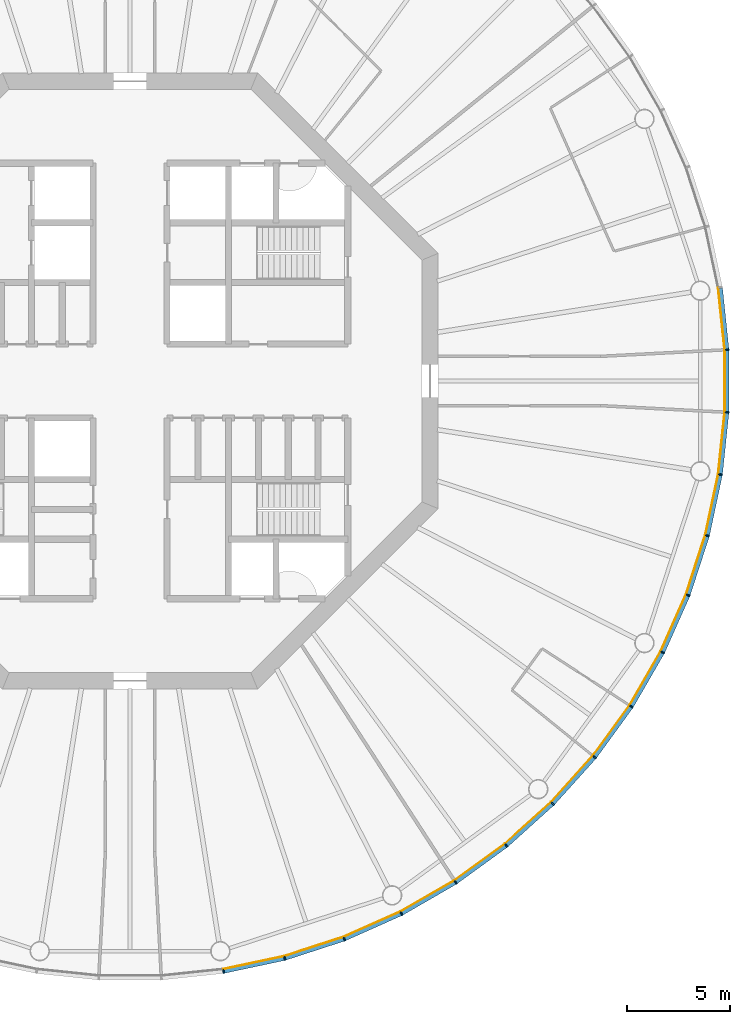
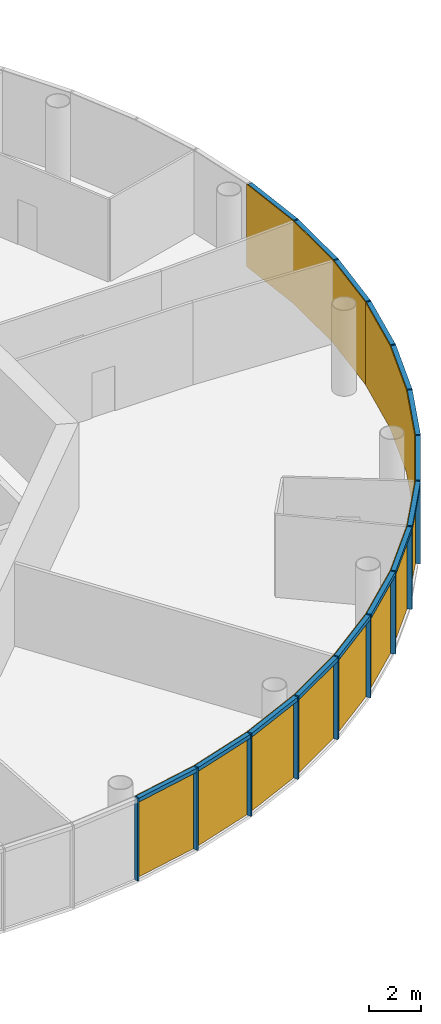
# One storey, part 9 of 13: 30 members, 5 curtain walls.
"""IFC4 building model written with IfcOpenShell, lengths in metres."""

from ifc_helpers import new_model, si_unit, direction, frame, origin, origin_2d, place, context, subcontext, project, spatial, polyline, rectangle, outline, extrude, material, layer, layer_set, material_profile, profile_set, type_object, element, aggregate, save


model = new_model("IFC4")

# Units and contexts
model_context = context("Model", 3, precision=1e-05, world=origin(), true_north=direction((0.0, 1.0)))
body_context = subcontext(model_context, "Body", "Model", "MODEL_VIEW")
ifc_project = project(units=[si_unit("LENGTHUNIT", "METRE"), si_unit("AREAUNIT", "SQUARE_METRE"), si_unit("VOLUMEUNIT", "CUBIC_METRE"), si_unit("PLANEANGLEUNIT", "RADIAN"), si_unit("MASSUNIT", "GRAM", prefix="KILO")], contexts=[model_context])

# Member
ifc_material_1 = material(Name="Anodised aluminium", Category="aluminium")
ifc_material_profile_1 = material_profile(ifc_material_1, rectangle(XDim=0.06494140625, YDim=0.195068359375, at=origin_2d()), Name="Mullion 65 x 195 mm anodised aluminium")
ifc_profile_set_1 = profile_set([ifc_material_profile_1], Name="Anodised aluminium")
member_type_1 = type_object("IfcMemberType", Name="Mullion 65 x 195 mm anodised aluminium", PredefinedType="MULLION", material=ifc_profile_set_1)
site_placement = place(None, origin())
building_placement = place(site_placement, origin())
storey_placement = place(building_placement, frame((0.0, 0.0, 314.0)))
member_1_placement = place(storey_placement, frame((94.5517578125, 51.2607421875, 0.0), z_axis=(0.0, 0.0, 1.0), x_axis=(0.987688340595, 0.15643446504, 0.0)))
member_1 = element("IfcMember", 1, at=member_1_placement, type_object=member_type_1, Name="MULLION L72-45", PredefinedType="MULLION", context=body_context, shape_type="SweptSolid", body=[
    extrude(rectangle(XDim=0.06494140625, YDim=0.195068359375, at=origin_2d()), origin(), (0.0, 0.0, 1.0), 3.85009765625),
])

member_2_placement = place(storey_placement, frame((97.531005859375, 51.89404296875, 0.0), z_axis=(0.0, 0.0, 1.0), x_axis=(0.965925826289, 0.258819045103, 0.0)))
member_2 = element("IfcMember", 2, at=member_2_placement, type_object=member_type_1, Name="MULLION L72-46", PredefinedType="MULLION", context=body_context, shape_type="SweptSolid", body=[
    extrude(rectangle(XDim=0.06494140625, YDim=0.195068359375, at=origin_2d()), origin(), (0.0, 0.0, 1.0), 3.85009765625),
])

member_3_placement = place(storey_placement, frame((100.427490234375, 52.835205078125, 0.0), z_axis=(0.0, 0.0, 1.0), x_axis=(0.933580426497, 0.358367949545, 0.0)))
member_3 = element("IfcMember", 3, at=member_3_placement, type_object=member_type_1, Name="MULLION L72-47", PredefinedType="MULLION", context=body_context, shape_type="SweptSolid", body=[
    extrude(rectangle(XDim=0.06494140625, YDim=0.195068359375, at=origin_2d()), origin(), (0.0, 0.0, 1.0), 3.85009765625),
])

member_4_placement = place(storey_placement, frame((103.2099609375, 54.073974609375, 0.0), z_axis=(0.0, 0.0, 1.0), x_axis=(0.891006524188, 0.45399049974, 0.0)))
member_4 = element("IfcMember", 4, at=member_4_placement, type_object=member_type_1, Name="MULLION L72-48", PredefinedType="MULLION", context=body_context, shape_type="SweptSolid", body=[
    extrude(rectangle(XDim=0.06494140625, YDim=0.195068359375, at=origin_2d()), origin(), (0.0, 0.0, 1.0), 3.85009765625),
])

member_5_placement = place(storey_placement, frame((105.84765625, 55.5966796875, 0.0), z_axis=(0.0, 0.0, 1.0), x_axis=(0.838670567945, 0.544639035015, 0.0)))
member_5 = element("IfcMember", 5, at=member_5_placement, type_object=member_type_1, Name="MULLION L72-49", PredefinedType="MULLION", context=body_context, shape_type="SweptSolid", body=[
    extrude(rectangle(XDim=0.06494140625, YDim=0.195068359375, at=origin_2d()), origin(), (0.0, 0.0, 1.0), 3.85009765625),
])

member_6_placement = place(storey_placement, frame((108.311767578125, 57.386962890625, 0.0), z_axis=(0.0, 0.0, 1.0), x_axis=(0.777145961457, 0.62932039105, 0.0)))
member_6 = element("IfcMember", 6, at=member_6_placement, type_object=member_type_1, Name="MULLION L72-50", PredefinedType="MULLION", context=body_context, shape_type="SweptSolid", body=[
    extrude(rectangle(XDim=0.06494140625, YDim=0.195068359375, at=origin_2d()), origin(), (0.0, 0.0, 1.0), 3.85009765625),
])

member_7_placement = place(storey_placement, frame((110.574951171875, 59.425048828125, 0.0), z_axis=(0.0, 0.0, 1.0), x_axis=(0.707106781187, 0.707106781187, 0.0)))
member_7 = element("IfcMember", 7, at=member_7_placement, type_object=member_type_1, Name="MULLION L72-51", PredefinedType="MULLION", context=body_context, shape_type="SweptSolid", body=[
    extrude(rectangle(XDim=0.06494140625, YDim=0.195068359375, at=origin_2d()), origin(), (0.0, 0.0, 1.0), 3.85009765625),
])

member_8_placement = place(storey_placement, frame((112.613037109375, 61.688232421875, 0.0), z_axis=(0.0, 0.0, 1.0), x_axis=(0.62932039105, 0.777145961457, 0.0)))
member_8 = element("IfcMember", 8, at=member_8_placement, type_object=member_type_1, Name="MULLION L72-52", PredefinedType="MULLION", context=body_context, shape_type="SweptSolid", body=[
    extrude(rectangle(XDim=0.06494140625, YDim=0.195068359375, at=origin_2d()), origin(), (0.0, 0.0, 1.0), 3.85009765625),
])

member_9_placement = place(storey_placement, frame((114.4033203125, 64.15234375, 0.0), z_axis=(0.0, 0.0, 1.0), x_axis=(0.544639035015, 0.838670567945, 0.0)))
member_9 = element("IfcMember", 9, at=member_9_placement, type_object=member_type_1, Name="MULLION L72-53", PredefinedType="MULLION", context=body_context, shape_type="SweptSolid", body=[
    extrude(rectangle(XDim=0.06494140625, YDim=0.195068359375, at=origin_2d()), origin(), (0.0, 0.0, 1.0), 3.85009765625),
])

member_10_placement = place(storey_placement, frame((115.926025390625, 66.7900390625, 0.0), z_axis=(0.0, 0.0, 1.0), x_axis=(0.45399049974, 0.891006524188, 0.0)))
member_10 = element("IfcMember", 10, at=member_10_placement, type_object=member_type_1, Name="MULLION L72-54", PredefinedType="MULLION", context=body_context, shape_type="SweptSolid", body=[
    extrude(rectangle(XDim=0.06494140625, YDim=0.195068359375, at=origin_2d()), origin(), (0.0, 0.0, 1.0), 3.85009765625),
])

member_11_placement = place(storey_placement, frame((117.164794921875, 69.572509765625, 0.0), z_axis=(0.0, 0.0, 1.0), x_axis=(0.358367949545, 0.933580426497, 0.0)))
member_11 = element("IfcMember", 11, at=member_11_placement, type_object=member_type_1, Name="MULLION L72-55", PredefinedType="MULLION", context=body_context, shape_type="SweptSolid", body=[
    extrude(rectangle(XDim=0.06494140625, YDim=0.195068359375, at=origin_2d()), origin(), (0.0, 0.0, 1.0), 3.85009765625),
])

member_12_placement = place(storey_placement, frame((118.10595703125, 72.468994140625, 0.0), z_axis=(0.0, 0.0, 1.0), x_axis=(0.258819045103, 0.965925826289, 0.0)))
member_12 = element("IfcMember", 12, at=member_12_placement, type_object=member_type_1, Name="MULLION L72-56", PredefinedType="MULLION", context=body_context, shape_type="SweptSolid", body=[
    extrude(rectangle(XDim=0.06494140625, YDim=0.195068359375, at=origin_2d()), origin(), (0.0, 0.0, 1.0), 3.85009765625),
])

member_13_placement = place(storey_placement, frame((118.7392578125, 75.4482421875, 0.0), z_axis=(0.0, 0.0, 1.0), x_axis=(0.15643446504, 0.987688340595, 0.0)))
member_13 = element("IfcMember", 13, at=member_13_placement, type_object=member_type_1, Name="MULLION L72-57", PredefinedType="MULLION", context=body_context, shape_type="SweptSolid", body=[
    extrude(rectangle(XDim=0.06494140625, YDim=0.195068359375, at=origin_2d()), origin(), (0.0, 0.0, 1.0), 3.85009765625),
])

member_14_placement = place(storey_placement, frame((119.0576171875, 78.47705078125, 0.0), z_axis=(0.0, 0.0, 1.0), x_axis=(0.052335956243, 0.998629534755, 0.0)))
member_14 = element("IfcMember", 14, at=member_14_placement, type_object=member_type_1, Name="MULLION L72-58", PredefinedType="MULLION", context=body_context, shape_type="SweptSolid", body=[
    extrude(rectangle(XDim=0.06494140625, YDim=0.195068359375, at=origin_2d()), origin(), (0.0, 0.0, 1.0), 3.85009765625),
])

member_15_placement = place(storey_placement, frame((119.0576171875, 81.52294921875, 0.0), z_axis=(0.0, 0.0, 1.0), x_axis=(-0.052335956243, 0.998629534755, 0.0)))
member_15 = element("IfcMember", 15, at=member_15_placement, type_object=member_type_1, Name="MULLION L72-59", PredefinedType="MULLION", context=body_context, shape_type="SweptSolid", body=[
    extrude(rectangle(XDim=0.06494140625, YDim=0.195068359375, at=origin_2d()), origin(), (0.0, 0.0, 1.0), 3.85009765625),
])

ifc_material_2 = material(Name="Anodised aluminium", Category="aluminium")
ifc_material_profile_2 = material_profile(ifc_material_2, rectangle(XDim=0.195068359375, YDim=0.179931640625, at=origin_2d()), Name="Transom 180 x 195 mm anodised aluminium")
ifc_profile_set_2 = profile_set([ifc_material_profile_2], Name="Anodised aluminium")
member_type_2 = type_object("IfcMemberType", Name="Transom 180 x 195 mm anodised aluminium", PredefinedType="USERDEFINED", material=ifc_profile_set_2)
member_16_placement = place(storey_placement, frame((94.588623046875, 51.268310546875, 3.760009765625), z_axis=(0.978141510112, 0.207940342877, 0.0), x_axis=(-0.207940342877, 0.978141510112, 0.0)))
member_16 = element("IfcMember", 16, at=member_16_placement, type_object=member_type_2, Name="TRANSOM L72-45", ObjectType="TRANSOM", PredefinedType="USERDEFINED", context=body_context, shape_type="SweptSolid", body=[
    extrude(rectangle(XDim=0.195068359375, YDim=0.179931640625, at=origin_2d()), origin(), (0.0, 0.0, 1.0), 2.970458984375),
])

member_17_placement = place(storey_placement, frame((97.56689453125, 51.905517578125, 3.760009765625), z_axis=(0.951047960094, 0.309043326415, 0.0), x_axis=(-0.309043326415, 0.951047960094, 0.0)))
member_17 = element("IfcMember", 17, at=member_17_placement, type_object=member_type_2, Name="TRANSOM L72-46", ObjectType="TRANSOM", PredefinedType="USERDEFINED", context=body_context, shape_type="SweptSolid", body=[
    extrude(rectangle(XDim=0.195068359375, YDim=0.179931640625, at=origin_2d()), origin(), (0.0, 0.0, 1.0), 2.970458984375),
])

member_18_placement = place(storey_placement, frame((100.4619140625, 52.850341796875, 3.760009765625), z_axis=(0.913550406593, 0.406725527369, 0.0), x_axis=(-0.406725527369, 0.913550406593, 0.0)))
member_18 = element("IfcMember", 18, at=member_18_placement, type_object=member_type_2, Name="TRANSOM L72-47", ObjectType="TRANSOM", PredefinedType="USERDEFINED", context=body_context, shape_type="SweptSolid", body=[
    extrude(rectangle(XDim=0.195068359375, YDim=0.179931640625, at=origin_2d()), origin(), (0.0, 0.0, 1.0), 2.970703125),
])

member_19_placement = place(storey_placement, frame((103.24267578125, 54.092529296875, 3.760009765625), z_axis=(0.866009025146, 0.500028367561, 0.0), x_axis=(-0.500028367561, 0.866009025146, 0.0)))
member_19 = element("IfcMember", 19, at=member_19_placement, type_object=member_type_2, Name="TRANSOM L72-48", ObjectType="TRANSOM", PredefinedType="USERDEFINED", context=body_context, shape_type="SweptSolid", body=[
    extrude(rectangle(XDim=0.195068359375, YDim=0.179931640625, at=origin_2d()), origin(), (0.0, 0.0, 1.0), 2.970458984375),
])

member_20_placement = place(storey_placement, frame((105.878173828125, 55.618896484375, 3.760009765625), z_axis=(0.809030990733, 0.587765987476, 0.0), x_axis=(-0.587765987476, 0.809030990733, 0.0)))
member_20 = element("IfcMember", 20, at=member_20_placement, type_object=member_type_2, Name="TRANSOM L72-49", ObjectType="TRANSOM", PredefinedType="USERDEFINED", context=body_context, shape_type="SweptSolid", body=[
    extrude(rectangle(XDim=0.195068359375, YDim=0.179931640625, at=origin_2d()), origin(), (0.0, 0.0, 1.0), 2.97021484375),
])

member_21_placement = place(storey_placement, frame((108.339599609375, 57.412109375, 3.760009765625), z_axis=(0.743163354343, 0.669110027395, 0.0), x_axis=(-0.669110027395, 0.743163354343, 0.0)))
member_21 = element("IfcMember", 21, at=member_21_placement, type_object=member_type_2, Name="TRANSOM L72-50", ObjectType="TRANSOM", PredefinedType="USERDEFINED", context=body_context, shape_type="SweptSolid", body=[
    extrude(rectangle(XDim=0.195068359375, YDim=0.179931640625, at=origin_2d()), origin(), (0.0, 0.0, 1.0), 2.970458984375),
])

member_22_placement = place(storey_placement, frame((110.600341796875, 59.452880859375, 3.760009765625), z_axis=(0.669110027395, 0.743163354343, 0.0), x_axis=(-0.743163354343, 0.669110027395, 0.0)))
member_22 = element("IfcMember", 22, at=member_22_placement, type_object=member_type_2, Name="TRANSOM L72-51", ObjectType="TRANSOM", PredefinedType="USERDEFINED", context=body_context, shape_type="SweptSolid", body=[
    extrude(rectangle(XDim=0.195068359375, YDim=0.179931640625, at=origin_2d()), origin(), (0.0, 0.0, 1.0), 2.970458984375),
])

member_23_placement = place(storey_placement, frame((112.63525390625, 61.71875, 3.760009765625), z_axis=(0.587765987476, 0.809030990733, 0.0), x_axis=(-0.809030990733, 0.587765987476, 0.0)))
member_23 = element("IfcMember", 23, at=member_23_placement, type_object=member_type_2, Name="TRANSOM L72-52", ObjectType="TRANSOM", PredefinedType="USERDEFINED", context=body_context, shape_type="SweptSolid", body=[
    extrude(rectangle(XDim=0.195068359375, YDim=0.179931640625, at=origin_2d()), origin(), (0.0, 0.0, 1.0), 2.97021484375),
])

member_24_placement = place(storey_placement, frame((114.422119140625, 64.184814453125, 3.760009765625), z_axis=(0.500028367561, 0.866009025146, 0.0), x_axis=(-0.866009025146, 0.500028367561, 0.0)))
member_24 = element("IfcMember", 24, at=member_24_placement, type_object=member_type_2, Name="TRANSOM L72-53", ObjectType="TRANSOM", PredefinedType="USERDEFINED", context=body_context, shape_type="SweptSolid", body=[
    extrude(rectangle(XDim=0.195068359375, YDim=0.179931640625, at=origin_2d()), origin(), (0.0, 0.0, 1.0), 2.970458984375),
])

member_25_placement = place(storey_placement, frame((115.94140625, 66.82421875, 3.760009765625), z_axis=(0.406725527369, 0.913550406593, 0.0), x_axis=(-0.913550406593, 0.406725527369, 0.0)))
member_25 = element("IfcMember", 25, at=member_25_placement, type_object=member_type_2, Name="TRANSOM L72-54", ObjectType="TRANSOM", PredefinedType="USERDEFINED", context=body_context, shape_type="SweptSolid", body=[
    extrude(rectangle(XDim=0.195068359375, YDim=0.179931640625, at=origin_2d()), origin(), (0.0, 0.0, 1.0), 2.970703125),
])

member_26_placement = place(storey_placement, frame((117.176513671875, 69.608154296875, 3.760009765625), z_axis=(0.309043326415, 0.951047960094, 0.0), x_axis=(-0.951047960094, 0.309043326415, 0.0)))
member_26 = element("IfcMember", 26, at=member_26_placement, type_object=member_type_2, Name="TRANSOM L72-55", ObjectType="TRANSOM", PredefinedType="USERDEFINED", context=body_context, shape_type="SweptSolid", body=[
    extrude(rectangle(XDim=0.195068359375, YDim=0.179931640625, at=origin_2d()), origin(), (0.0, 0.0, 1.0), 2.970458984375),
])

member_27_placement = place(storey_placement, frame((118.114013671875, 72.505859375, 3.760009765625), z_axis=(0.207940342877, 0.978141510112, 0.0), x_axis=(-0.978141510112, 0.207940342877, 0.0)))
member_27 = element("IfcMember", 27, at=member_27_placement, type_object=member_type_2, Name="TRANSOM L72-56", ObjectType="TRANSOM", PredefinedType="USERDEFINED", context=body_context, shape_type="SweptSolid", body=[
    extrude(rectangle(XDim=0.195068359375, YDim=0.179931640625, at=origin_2d()), origin(), (0.0, 0.0, 1.0), 2.970458984375),
])

member_28_placement = place(storey_placement, frame((118.743408203125, 75.485595703125, 3.760009765625), z_axis=(0.104466577987, 0.994528397827, 0.0), x_axis=(-0.994528397827, 0.104466577987, 0.0)))
member_28 = element("IfcMember", 28, at=member_28_placement, type_object=member_type_2, Name="TRANSOM L72-57", ObjectType="TRANSOM", PredefinedType="USERDEFINED", context=body_context, shape_type="SweptSolid", body=[
    extrude(rectangle(XDim=0.195068359375, YDim=0.179931640625, at=origin_2d()), origin(), (0.0, 0.0, 1.0), 2.970458984375),
])

member_29_placement = place(storey_placement, frame((119.057861328125, 78.5146484375, 3.760009765625), z_axis=(0.0, 1.0, 0.0), x_axis=(-1.0, 0.0, 0.0)))
member_29 = element("IfcMember", 29, at=member_29_placement, type_object=member_type_2, Name="TRANSOM L72-58", ObjectType="TRANSOM", PredefinedType="USERDEFINED", context=body_context, shape_type="SweptSolid", body=[
    extrude(rectangle(XDim=0.195068359375, YDim=0.179931640625, at=origin_2d()), origin(), (0.0, 0.0, 1.0), 2.970703125),
])

member_30_placement = place(storey_placement, frame((119.0537109375, 81.560302734375, 3.760009765625), z_axis=(-0.104466577987, 0.994528397827, 0.0), x_axis=(-0.994528397827, -0.104466577987, 0.0)))
member_30 = element("IfcMember", 30, at=member_30_placement, type_object=member_type_2, Name="TRANSOM L72-59", ObjectType="TRANSOM", PredefinedType="USERDEFINED", context=body_context, shape_type="SweptSolid", body=[
    extrude(rectangle(XDim=0.195068359375, YDim=0.179931640625, at=origin_2d()), origin(), (0.0, 0.0, 1.0), 2.970458984375),
])

# Site, building, storey
site = spatial("IfcSite", under=ifc_project, at=site_placement, CompositionType="ELEMENT")
building = spatial("IfcBuilding", under=site, at=building_placement, Name="Entoto Ring Tower", CompositionType="ELEMENT")
storey = spatial("IfcBuildingStorey", under=building, at=storey_placement, Name="L72", CompositionType="ELEMENT", Elevation=314.0)

# Curtain wall
ifc_material_3 = material(Name="Clear low-iron glass", Category="glass")
ifc_layer = layer(ifc_material_3, 0.033935546875)
ifc_layer_set = layer_set([ifc_layer], Name="Clear low-iron glass")
curtain_wall_type = type_object("IfcCurtainWallType", Name="Curtain wall system CW5 glazing 34 mm", PredefinedType="NOTDEFINED", material=ifc_layer_set)
curtain_wall_1_placement = place(storey_placement, origin())
curtain_wall_1 = element("IfcCurtainWall", 31, at=curtain_wall_1_placement, inside=storey, type_object=curtain_wall_type, Name="CW5 L72-16", PredefinedType="NOTDEFINED", context=body_context, shape_type="SweptSolid", body=[
    extrude(outline(polyline([(94.53662109375, 51.35693359375), (97.505859375, 51.988037109375), (100.392578125, 52.92626953125), (103.165771484375, 54.160888671875), (103.150146484375, 54.191162109375), (100.38037109375, 52.9580078125), (97.496826171875, 52.02099609375), (94.53125, 51.390625), (94.53662109375, 51.35693359375)])), origin(), (0.0, 0.0, 1.0), 3.85009765625),
])

aggregate(curtain_wall_1, [member_1, member_2, member_3, member_16, member_17, member_18])

curtain_wall_2_placement = place(storey_placement, origin())
curtain_wall_2 = element("IfcCurtainWall", 32, at=curtain_wall_2_placement, inside=storey, type_object=curtain_wall_type, Name="CW5 L72-17", PredefinedType="NOTDEFINED", context=body_context, shape_type="SweptSolid", body=[
    extrude(outline(polyline([(103.165771484375, 54.160888671875), (105.79443359375, 55.678466796875), (108.250244140625, 57.462646484375), (110.506103515625, 59.493896484375), (110.48193359375, 59.51806640625), (108.228759765625, 57.4892578125), (105.77587890625, 55.70703125), (103.150146484375, 54.191162109375), (103.165771484375, 54.160888671875)])), origin(), (0.0, 0.0, 1.0), 3.85009765625),
])

aggregate(curtain_wall_2, [member_4, member_5, member_6, member_19, member_20, member_21])

curtain_wall_3_placement = place(storey_placement, origin())
curtain_wall_3 = element("IfcCurtainWall", 33, at=curtain_wall_3_placement, inside=storey, type_object=curtain_wall_type, Name="CW5 L72-18", PredefinedType="NOTDEFINED", context=body_context, shape_type="SweptSolid", body=[
    extrude(outline(polyline([(110.506103515625, 59.493896484375), (112.537353515625, 61.749755859375), (114.321533203125, 64.20556640625), (115.839111328125, 66.834228515625), (115.808837890625, 66.849853515625), (114.29296875, 64.22412109375), (112.5107421875, 61.771240234375), (110.48193359375, 59.51806640625), (110.506103515625, 59.493896484375)])), origin(), (0.0, 0.0, 1.0), 3.85009765625),
])

aggregate(curtain_wall_3, [member_7, member_8, member_9, member_22, member_23, member_24])

curtain_wall_4_placement = place(storey_placement, origin())
curtain_wall_4 = element("IfcCurtainWall", 34, at=curtain_wall_4_placement, inside=storey, type_object=curtain_wall_type, Name="CW5 L72-19", PredefinedType="NOTDEFINED", context=body_context, shape_type="SweptSolid", body=[
    extrude(outline(polyline([(115.839111328125, 66.834228515625), (117.07373046875, 69.607421875), (118.011962890625, 72.494140625), (118.64306640625, 75.46337890625), (118.609375, 75.46875), (117.97900390625, 72.503173828125), (117.0419921875, 69.61962890625), (115.808837890625, 66.849853515625), (115.839111328125, 66.834228515625)])), origin(), (0.0, 0.0, 1.0), 3.85009765625),
])

aggregate(curtain_wall_4, [member_10, member_11, member_12, member_25, member_26, member_27])

curtain_wall_5_placement = place(storey_placement, origin())
curtain_wall_5 = element("IfcCurtainWall", 35, at=curtain_wall_5_placement, inside=storey, type_object=curtain_wall_type, Name="CW5 L72-20", PredefinedType="NOTDEFINED", context=body_context, shape_type="SweptSolid", body=[
    extrude(outline(polyline([(118.64306640625, 75.46337890625), (118.960205078125, 78.482177734375), (118.960205078125, 81.517822265625), (118.64306640625, 84.53662109375), (118.609375, 84.53125), (118.92626953125, 81.515869140625), (118.92626953125, 78.484130859375), (118.609375, 75.46875), (118.64306640625, 75.46337890625)])), origin(), (0.0, 0.0, 1.0), 3.85009765625),
])

aggregate(curtain_wall_5, [member_13, member_14, member_15, member_28, member_29, member_30])

save(model, "model.ifc")
